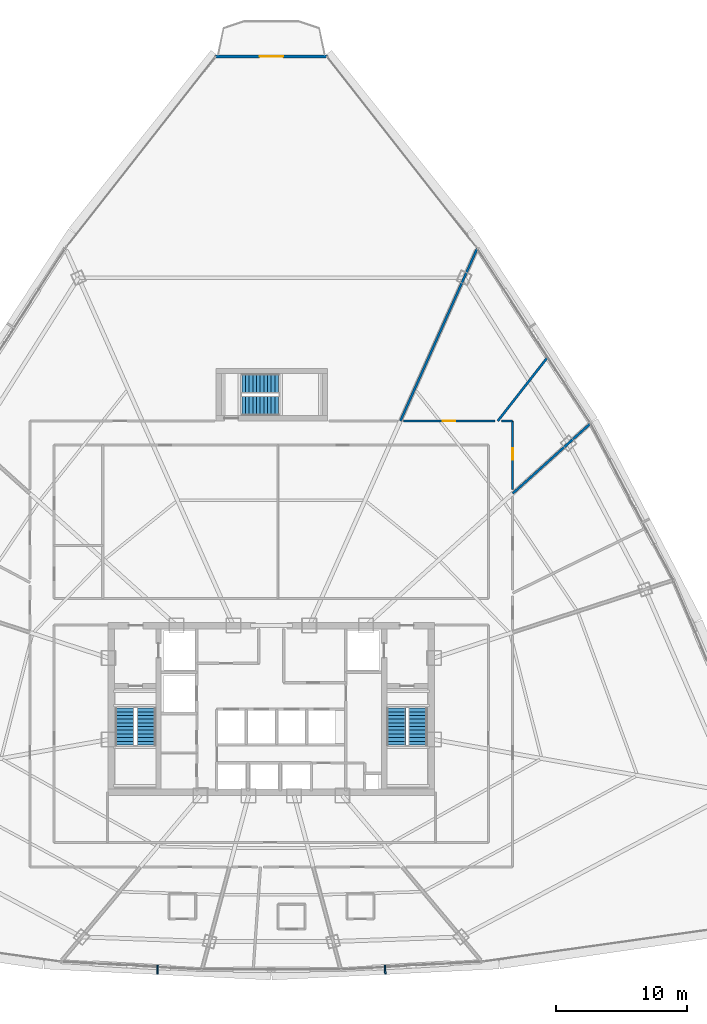
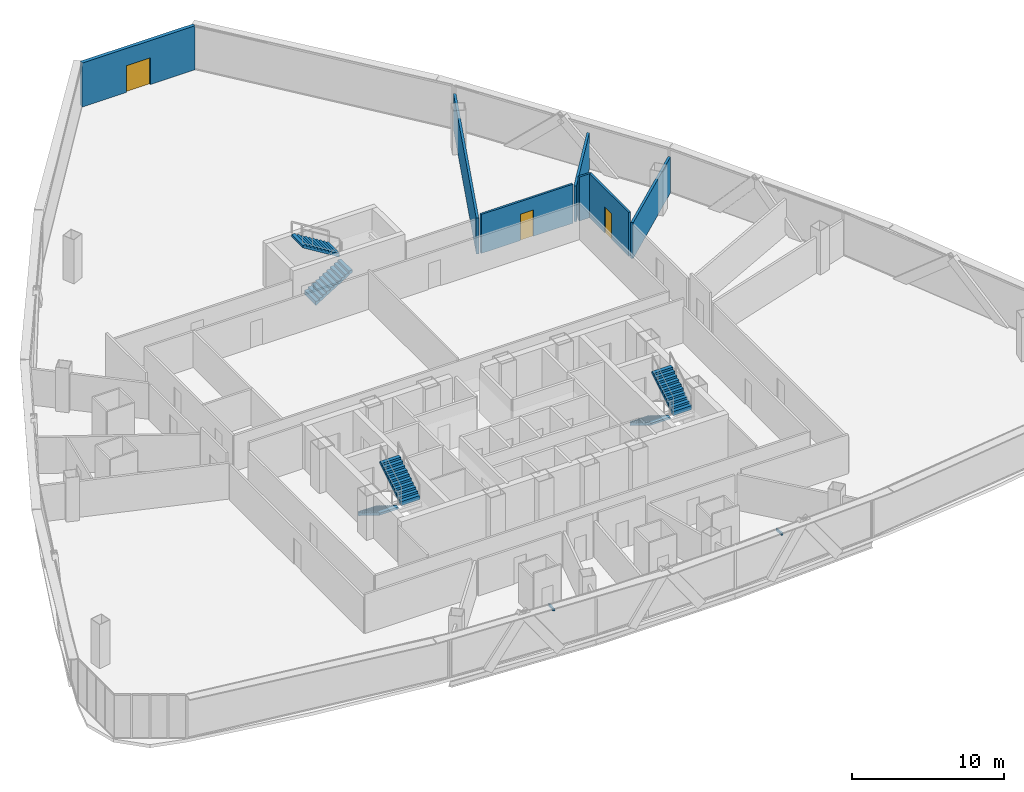
# One storey, part 35 of 40: 7 walls, 6 stair flights, 3 doors, 2 discrete accessories, 3 openings, 3 elements without a shape of their own.
"""IFC4 building model written with IfcOpenShell, lengths in metres."""

from ifc_helpers import new_model, si_unit, direction, frame, frame_2d, origin, origin_with_axes, origin_2d, place, context, subcontext, project, spatial, polyline, rectangle, outline, extrude, source, transform, mapped, material, layer, layer_set, type_object, element, fill, aggregate, save


model = new_model("IFC4")

# Units and contexts
model_context = context("Model", 3, precision=1e-05, world=origin(), true_north=direction((0.0, 1.0)))
body_context = subcontext(model_context, "Body", "Model", "MODEL_VIEW")
ifc_project = project(units=[si_unit("LENGTHUNIT", "METRE"), si_unit("AREAUNIT", "SQUARE_METRE"), si_unit("VOLUMEUNIT", "CUBIC_METRE"), si_unit("PLANEANGLEUNIT", "RADIAN"), si_unit("MASSUNIT", "GRAM", prefix="KILO"), si_unit("THERMODYNAMICTEMPERATUREUNIT", "KELVIN"), si_unit("POWERUNIT", "WATT")], contexts=[model_context])

# Site, building, storey
site_placement = place(None, origin())
site = spatial("IfcSite", under=ifc_project, at=site_placement, CompositionType="ELEMENT")
building_placement = place(site_placement, origin())
building = spatial("IfcBuilding", under=site, at=building_placement, Name="Yunzhuo Pagoda Commons", CompositionType="ELEMENT")
storey_placement = place(building_placement, frame((0.0, 0.0, 180.9599609375)))
storey = spatial("IfcBuildingStorey", under=building, at=storey_placement, Name="L45", CompositionType="ELEMENT", Elevation=180.9599609375)

# Wall, opening, door
ifc_material_1 = material(Name="Precast concrete C40", Category="concrete")
ifc_layer_1 = layer(ifc_material_1, 0.260009765625)
ifc_layer_set_1 = layer_set([ifc_layer_1], Name="Precast concrete C40")
wall_type_1 = type_object("IfcWallType", Name="W-BAL1 Corner Balcony Threshold Wall 260", PredefinedType="STANDARD", material=ifc_layer_set_1)
wall_1_placement = place(storey_placement, frame((52.290283203125, 83.582763671875, 0.0), z_axis=(0.0, 0.0, 1.0), x_axis=(-1.0, 0.0, 0.0)))
wall_1 = element("IfcWall", 1, at=wall_1_placement, inside=storey, type_object=wall_type_1, Name="L45 corner balcony wall V3", PredefinedType="STANDARD", context=body_context, shape_type="SweptSolid", body=[
    extrude(rectangle(XDim=8.58056640625, YDim=0.260009765625, at=frame_2d((4.290283203125, 0.0))), origin(), (0.0, 0.0, 1.0), 3.5400390625),
])
opening_1_placement = place(wall_1_placement, frame((3.390380859375, 0.0, 0.0)))
opening_1 = element("IfcOpeningElement", 2, at=opening_1_placement, cuts=wall_1, Name="Opening D-BAL1", PredefinedType="OPENING", context=body_context, shape_type="SweptSolid", body=[
    extrude(rectangle(XDim=1.800048828125, YDim=2.14990234375, at=frame_2d((0.89990234375, 1.074951171875))), frame((0.0, 0.14013671875, 0.0), z_axis=(0.0, -1.0, 0.0), x_axis=(1.0, 0.0, 0.0)), (0.0, 0.0, 1.0), 0.280029296875),
])
ifc_material_2 = material(Name="Anodized aluminium frame and tempered glazed leaf", Category="aluminium")
door_type_1 = type_object("IfcDoorType", Name="D-BAL1 Corner Balcony Sliding Glazed Door 1800x2150", OperationType="DOUBLE_DOOR_SLIDING", PredefinedType="DOOR", material=ifc_material_2)
shared_shape_1 = source(origin(), body_context, "Body", "SweptSolid", [
    extrude(rectangle(XDim=1.800048828125, YDim=2.14990234375, at=frame_2d((0.89990234375, 1.074951171875))), frame((0.0, 0.02490234375, 0.0), z_axis=(0.0, -1.0, 0.0), x_axis=(1.0, 0.0, 0.0)), (0.0, 0.0, 1.0), 0.050048828125),
])
door_1_placement = place(opening_1_placement, origin_with_axes())
door_1 = element("IfcDoor", 3, at=door_1_placement, inside=storey, type_object=door_type_1, Name="L45 corner balcony sliding door V3", OperationType="DOUBLE_DOOR_SLIDING", OverallHeight=2.14990234375, OverallWidth=1.800048828125, PredefinedType="DOOR", context=body_context, shape_type="MappedRepresentation", body=[
    mapped(shared_shape_1, transform((0.0, 0.0, 0.0), scale=1.0)),
])
fill(opening_1, door_1)

ifc_material_3 = material(Name="Gypsum plasterboard on acoustic stud")
ifc_layer_2 = layer(ifc_material_3, 0.155029296875)
ifc_layer_set_2 = layer_set([ifc_layer_2], Name="Gypsum plasterboard on acoustic stud")
wall_type_2 = type_object("IfcWallType", Name="W-COR2 Mid-Zone Rated Corridor Wall 155", PredefinedType="PARTITIONING", material=ifc_layer_set_2)
wall_2_placement = place(storey_placement, frame((58.080322265625, 55.800048828125, 0.0), z_axis=(0.0, 0.0, 1.0), x_axis=(1.0, 0.0, 0.0)))
wall_2 = element("IfcWall", 4, at=wall_2_placement, inside=storey, type_object=wall_type_2, Name="L45 interior wall IW-L45-CWL07", PredefinedType="PARTITIONING", context=body_context, shape_type="SweptSolid", body=[
    extrude(rectangle(XDim=6.96630859375, YDim=0.155029296875, at=frame_2d((3.483154296875, 0.0))), origin(), (0.0, 0.0, 1.0), 3.14013671875),
])
opening_2_placement = place(wall_2_placement, frame((2.99755859375, 0.0, 0.0)))
opening_2 = element("IfcOpeningElement", 5, at=opening_2_placement, cuts=wall_2, Name="Opening D-07", PredefinedType="OPENING", context=body_context, shape_type="SweptSolid", body=[
    extrude(rectangle(XDim=0.9599609375, YDim=2.1201171875, at=frame_2d((0.47998046875, 1.06005859375))), frame((0.0, 0.08740234375, 0.0), z_axis=(0.0, -1.0, 0.0), x_axis=(1.0, 0.0, 0.0)), (0.0, 0.0, 1.0), 0.175048828125),
])
ifc_material_4 = material(Name="Galvanized fire-resisting metal leaf")
door_type_2 = type_object("IfcDoorType", Name="D-07 Mid-Zone Suite Entrance Fire Door 960x2120", OperationType="NOTDEFINED", PredefinedType="DOOR", material=ifc_material_4)
shared_shape_2 = source(origin(), body_context, "Body", "SweptSolid", [
    extrude(rectangle(XDim=0.9599609375, YDim=2.1201171875, at=frame_2d((0.47998046875, 1.06005859375))), frame((0.0, 0.02490234375, 0.0), z_axis=(0.0, -1.0, 0.0), x_axis=(1.0, 0.0, 0.0)), (0.0, 0.0, 1.0), 0.050048828125),
])
door_2_placement = place(opening_2_placement, origin_with_axes())
door_2 = element("IfcDoor", 6, at=door_2_placement, inside=storey, type_object=door_type_2, Name="L45 unit 04 entrance door", OperationType="SINGLE_SWING_RIGHT", OverallHeight=2.1201171875, OverallWidth=0.9599609375, PredefinedType="DOOR", context=body_context, shape_type="MappedRepresentation", body=[
    mapped(shared_shape_2, transform((0.0, 0.0, 0.0), scale=1.0)),
])
fill(opening_2, door_2)

# Wall
wall_3_placement = place(storey_placement, frame((65.545654296875, 55.800048828125, 0.0), z_axis=(0.0, 0.0, 1.0), x_axis=(1.0, 0.0, 0.0)))
element("IfcWall", 7, at=wall_3_placement, inside=storey, type_object=wall_type_2, Name="L45 interior wall IW-L45-CWL08", PredefinedType="PARTITIONING", context=body_context, shape_type="SweptSolid", body=[
    extrude(rectangle(XDim=0.854248046875, YDim=0.155029296875, at=frame_2d((0.42724609375, 0.0))), origin(), (0.0, 0.0, 1.0), 3.5400390625),
])

# Wall, opening, door
wall_4_placement = place(storey_placement, frame((66.39990234375, 55.800048828125, 0.0), z_axis=(0.0, 0.0, 1.0), x_axis=(0.0, -1.0, 0.0)))
wall_4 = element("IfcWall", 8, at=wall_4_placement, inside=storey, type_object=wall_type_2, Name="L45 interior wall IW-L45-CWL09", PredefinedType="PARTITIONING", context=body_context, shape_type="SweptSolid", body=[
    extrude(rectangle(XDim=5.236572265625, YDim=0.155029296875, at=frame_2d((2.6181640625, 0.0))), origin(), (0.0, 0.0, 1.0), 3.5400390625),
])
opening_3_placement = place(wall_4_placement, frame((2.076416015625, 0.0, 0.0)))
opening_3 = element("IfcOpeningElement", 9, at=opening_3_placement, cuts=wall_4, Name="Opening D-12", PredefinedType="OPENING", context=body_context, shape_type="SweptSolid", body=[
    extrude(rectangle(XDim=0.89990234375, YDim=2.080078125, at=frame_2d((0.449951171875, 1.0400390625))), frame((0.0, 0.08740234375, 0.0), z_axis=(0.0, -1.0, 0.0), x_axis=(1.0, 0.0, 0.0)), (0.0, 0.0, 1.0), 0.175048828125),
])
ifc_material_5 = material(Name="Powder-coated aluminium and timber acoustic leaf", Category="wood")
door_type_3 = type_object("IfcDoorType", Name="D-12 Quiet Study Interior Door 900x2080", OperationType="NOTDEFINED", PredefinedType="DOOR", material=ifc_material_5)
shared_shape_3 = source(origin(), body_context, "Body", "SweptSolid", [
    extrude(rectangle(XDim=0.89990234375, YDim=2.080078125, at=frame_2d((0.449951171875, 1.0400390625))), frame((0.0, 0.02490234375, 0.0), z_axis=(0.0, -1.0, 0.0), x_axis=(1.0, 0.0, 0.0)), (0.0, 0.0, 1.0), 0.050048828125),
])
door_3_placement = place(opening_3_placement, origin_with_axes())
door_3 = element("IfcDoor", 10, at=door_3_placement, inside=storey, type_object=door_type_3, Name="L45 study lounge 03 door", OperationType="SINGLE_SWING_LEFT", OverallHeight=2.080078125, OverallWidth=0.89990234375, PredefinedType="DOOR", context=body_context, shape_type="MappedRepresentation", body=[
    mapped(shared_shape_3, transform((0.0, 0.0, 0.0), scale=1.0)),
])
fill(opening_3, door_3)

# Walls
ifc_layer_3 = layer(ifc_material_3, 0.175048828125)
ifc_layer_set_3 = layer_set([ifc_layer_3], Name="Gypsum plasterboard on acoustic stud")
wall_type_3 = type_object("IfcWallType", Name="W-PRT3 Mid-Zone Demising Wall 175", PredefinedType="PARTITIONING", material=ifc_layer_set_3)
wall_5_placement = place(storey_placement, frame((66.39990234375, 50.267333984375, 0.0), z_axis=(0.0, 0.0, 1.0), x_axis=(0.743139097079, 0.669136968335, 0.0)))
element("IfcWall", 11, at=wall_5_placement, inside=storey, type_object=wall_type_3, Name="L45 interior wall IW-L45-RAD03", PredefinedType="PARTITIONING", context=body_context, shape_type="SweptSolid", body=[
    extrude(rectangle(XDim=7.987060546875, YDim=0.175048828125, at=frame_2d((3.99365234375, 0.0))), origin(), (0.0, 0.0, 1.0), 2.89013671875),
])
wall_6_placement = place(storey_placement, frame((65.266357421875, 55.800048828125, 0.0), z_axis=(0.0, 0.0, 1.0), x_axis=(0.615677811369, 0.787997990218, 0.0)))
element("IfcWall", 12, at=wall_6_placement, inside=storey, type_object=wall_type_3, Name="L45 interior wall IW-L45-RAD04", PredefinedType="PARTITIONING", context=body_context, shape_type="SweptSolid", body=[
    extrude(rectangle(XDim=6.1728515625, YDim=0.175048828125, at=frame_2d((3.08642578125, 0.0))), origin(), (0.0, 0.0, 1.0), 2.89013671875),
])
wall_7_placement = place(storey_placement, frame((57.839599609375, 55.800048828125, 0.0), z_axis=(0.0, 0.0, 1.0), x_axis=(0.40674529891, 0.913541603768, 0.0)))
element("IfcWall", 13, at=wall_7_placement, inside=storey, type_object=wall_type_3, Name="L45 interior wall IW-L45-RAD05", PredefinedType="PARTITIONING", context=body_context, shape_type="SweptSolid", body=[
    extrude(rectangle(XDim=14.40673828125, YDim=0.175048828125, at=frame_2d((7.203369140625, 0.0))), origin(), (0.0, 0.0, 1.0), 2.89013671875),
])

# Stair, stair flights
ifc_material_6 = material(Name="Concrete C40", Category="concrete")
stair_type_1 = type_object("IfcStairType", Name="ST-C1 Core Smokeproof Stair ST1", PredefinedType="HALF_TURN_STAIR", material=ifc_material_6)
stair_1_placement = place(storey_placement, origin())
stair_1 = element("IfcStair", 14, at=stair_1_placement, inside=storey, type_object=stair_type_1, Name="L45 Core smokeproof stair ST1", PredefinedType="HALF_TURN_STAIR")
stair_flight_type_1 = type_object("IfcStairFlightType", Name="STF-C1 Core Stair Flight 1450", PredefinedType="STRAIGHT", material=ifc_material_6)
shared_shape_4 = source(origin(), body_context, "Body", "SweptSolid", [
    extrude(outline(polyline([(0.0, -0.14990234375), (0.0, 0.0), (0.0, 0.172607421875), (0.280029296875, 0.172607421875), (0.280029296875, 0.345458984375), (0.56005859375, 0.345458984375), (0.56005859375, 0.51806640625), (0.840087890625, 0.51806640625), (0.840087890625, 0.69091796875), (1.1201171875, 0.69091796875), (1.1201171875, 0.863525390625), (1.39990234375, 0.863525390625), (1.39990234375, 1.036376953125), (1.679931640625, 1.036376953125), (1.679931640625, 1.208984375), (1.9599609375, 1.208984375), (1.9599609375, 1.3818359375), (2.239990234375, 1.3818359375), (2.239990234375, 1.554443359375), (2.52001953125, 1.554443359375), (2.52001953125, 1.727294921875), (2.800048828125, 1.727294921875), (2.800048828125, 1.89990234375), (2.800048828125, 1.551025390625), (0.285400390625, 0.0), (0.050048828125, -0.14990234375), (0.0, -0.14990234375)])), frame((0.0, 0.72509765625, 0.0), z_axis=(0.0, -1.0, 0.0), x_axis=(1.0, 0.0, 0.0)), (0.0, 0.0, 1.0), 1.449951171875),
])
stair_flight_1_placement = place(storey_placement, frame((36.824951171875, 33.89990234375, 0.0), z_axis=(0.0, 0.0, 1.0), x_axis=(0.0, -1.0, 0.0)))
stair_flight_1 = element("IfcStairFlight", 15, at=stair_flight_1_placement, type_object=stair_flight_type_1, Name="ST1 flight 1", NumberOfRisers=11, NumberOfTreads=10, PredefinedType="STRAIGHT", RiserHeight=0.172727273, TreadLength=0.28, context=body_context, shape_type="MappedRepresentation", body=[
    mapped(shared_shape_4, transform((0.0, 0.0, 0.0), scale=1.0)),
])
stair_flight_2_placement = place(storey_placement, frame((38.47509765625, 31.10009765625, 1.900146484375), z_axis=(0.0, 0.0, 1.0), x_axis=(0.0, 1.0, 0.0)))
stair_flight_2 = element("IfcStairFlight", 16, at=stair_flight_2_placement, type_object=stair_flight_type_1, Name="ST1 flight 2", NumberOfRisers=11, NumberOfTreads=10, PredefinedType="STRAIGHT", RiserHeight=0.172727273, TreadLength=0.28, context=body_context, shape_type="MappedRepresentation", body=[
    mapped(shared_shape_4, transform((0.0, 0.0, 0.0), scale=1.0)),
])
aggregate(stair_1, [stair_flight_1, stair_flight_2])

stair_type_2 = type_object("IfcStairType", Name="ST-C2 Core Smokeproof Stair ST2", PredefinedType="HALF_TURN_STAIR", material=ifc_material_6)
stair_2_placement = place(storey_placement, origin())
stair_2 = element("IfcStair", 17, at=stair_2_placement, inside=storey, type_object=stair_type_2, Name="L45 Core smokeproof stair ST2", PredefinedType="HALF_TURN_STAIR")
stair_flight_type_2 = type_object("IfcStairFlightType", Name="STF-C2 Core Stair Flight 1460", PredefinedType="STRAIGHT", material=ifc_material_6)
stair_flight_3_placement = place(storey_placement, frame((57.52490234375, 33.89990234375, 0.0), z_axis=(0.0, 0.0, 1.0), x_axis=(0.0, -1.0, 0.0)))
stair_flight_3 = element("IfcStairFlight", 18, at=stair_flight_3_placement, type_object=stair_flight_type_2, Name="ST2 flight 1", NumberOfRisers=11, NumberOfTreads=10, PredefinedType="STRAIGHT", RiserHeight=0.172727273, TreadLength=0.28, context=body_context, shape_type="MappedRepresentation", body=[
    mapped(shared_shape_4, transform((0.0, 0.0, 0.0), scale=1.0)),
])
stair_flight_4_placement = place(storey_placement, frame((59.175048828125, 31.10009765625, 1.900146484375), z_axis=(0.0, 0.0, 1.0), x_axis=(0.0, 1.0, 0.0)))
stair_flight_4 = element("IfcStairFlight", 19, at=stair_flight_4_placement, type_object=stair_flight_type_2, Name="ST2 flight 2", NumberOfRisers=11, NumberOfTreads=10, PredefinedType="STRAIGHT", RiserHeight=0.172727273, TreadLength=0.28, context=body_context, shape_type="MappedRepresentation", body=[
    mapped(shared_shape_4, transform((0.0, 0.0, 0.0), scale=1.0)),
])
aggregate(stair_2, [stair_flight_3, stair_flight_4])

stair_type_3 = type_object("IfcStairType", Name="ST-C3 North Tower Smokeproof Stair ST3", PredefinedType="HALF_TURN_STAIR", material=ifc_material_6)
stair_3_placement = place(storey_placement, origin())
stair_3 = element("IfcStair", 20, at=stair_3_placement, inside=storey, type_object=stair_type_3, Name="L45 North tower smokeproof stair ST3", PredefinedType="HALF_TURN_STAIR")
stair_flight_type_3 = type_object("IfcStairFlightType", Name="STF-C3 North Stair Flight 1500", PredefinedType="STRAIGHT", material=ifc_material_6)
shared_shape_5 = source(origin(), body_context, "Body", "SweptSolid", [
    extrude(outline(polyline([(0.0, -0.14990234375), (0.0, 0.0), (0.0, 0.172607421875), (0.280029296875, 0.172607421875), (0.280029296875, 0.345458984375), (0.56005859375, 0.345458984375), (0.56005859375, 0.51806640625), (0.840087890625, 0.51806640625), (0.840087890625, 0.69091796875), (1.1201171875, 0.69091796875), (1.1201171875, 0.863525390625), (1.39990234375, 0.863525390625), (1.39990234375, 1.036376953125), (1.679931640625, 1.036376953125), (1.679931640625, 1.208984375), (1.9599609375, 1.208984375), (1.9599609375, 1.3818359375), (2.239990234375, 1.3818359375), (2.239990234375, 1.554443359375), (2.52001953125, 1.554443359375), (2.52001953125, 1.727294921875), (2.800048828125, 1.727294921875), (2.800048828125, 1.89990234375), (2.800048828125, 1.551025390625), (0.285400390625, 0.0), (0.050048828125, -0.14990234375), (0.0, -0.14990234375)])), frame((0.0, 0.75, 0.0), z_axis=(0.0, -1.0, 0.0), x_axis=(1.0, 0.0, 0.0)), (0.0, 0.0, 1.0), 1.5),
])
stair_flight_5_placement = place(storey_placement, frame((45.75, 56.949951171875, 0.0), z_axis=(0.0, 0.0, 1.0), x_axis=(1.0, 0.0, 0.0)))
stair_flight_5 = element("IfcStairFlight", 21, at=stair_flight_5_placement, type_object=stair_flight_type_3, Name="ST3 flight 1", NumberOfRisers=11, NumberOfTreads=10, PredefinedType="STRAIGHT", RiserHeight=0.172727273, TreadLength=0.28, context=body_context, shape_type="MappedRepresentation", body=[
    mapped(shared_shape_5, transform((0.0, 0.0, 0.0), scale=1.0)),
])
stair_flight_6_placement = place(storey_placement, frame((48.550048828125, 58.64990234375, 1.900146484375), z_axis=(0.0, 0.0, 1.0), x_axis=(-1.0, 0.0, 0.0)))
stair_flight_6 = element("IfcStairFlight", 22, at=stair_flight_6_placement, type_object=stair_flight_type_3, Name="ST3 flight 2", NumberOfRisers=11, NumberOfTreads=10, PredefinedType="STRAIGHT", RiserHeight=0.172727273, TreadLength=0.28, context=body_context, shape_type="MappedRepresentation", body=[
    mapped(shared_shape_5, transform((0.0, 0.0, 0.0), scale=1.0)),
])
aggregate(stair_3, [stair_flight_5, stair_flight_6])

# Discrete accessories
ifc_material_7 = material(Name="Anodized aluminium 6063-T6", Category="aluminium")
discrete_accessory_type = type_object("IfcDiscreteAccessoryType", Name="BK-SUN1 Sunshade Outrigger Bracket", PredefinedType="BRACKET", material=ifc_material_7)
shared_shape_6 = source(origin(), body_context, "Body", "SweptSolid", [
    extrude(rectangle(XDim=0.1201171875, YDim=0.679931640625, at=origin_2d()), origin(), (0.0, 0.0, 1.0), 0.179931640625),
])
for number, where, z_axis, x_axis, name in (
    (23, (39.32421875, 13.966552734375, 3.330078125), (0.0, 0.0, 1.0), (0.998818043775, -0.04860571396, 0.0), "L45 sunshade outrigger bracket F1.2"),
    (24, (56.67578125, 13.966552734375, 3.330078125), (0.0, 0.0, 1.0), (0.998818043775, 0.04860571396, 0.0), "L45 sunshade outrigger bracket F1.3"),
):
    element("IfcDiscreteAccessory", number, at=place(storey_placement, frame(where, z_axis=z_axis, x_axis=x_axis)), inside=storey, type_object=discrete_accessory_type, Name=name, PredefinedType="BRACKET", context=body_context, shape_type="MappedRepresentation", body=[
        mapped(shared_shape_6, transform((0.0, 0.0, 0.0), scale=1.0)),
    ])

save(model, "model.ifc")
